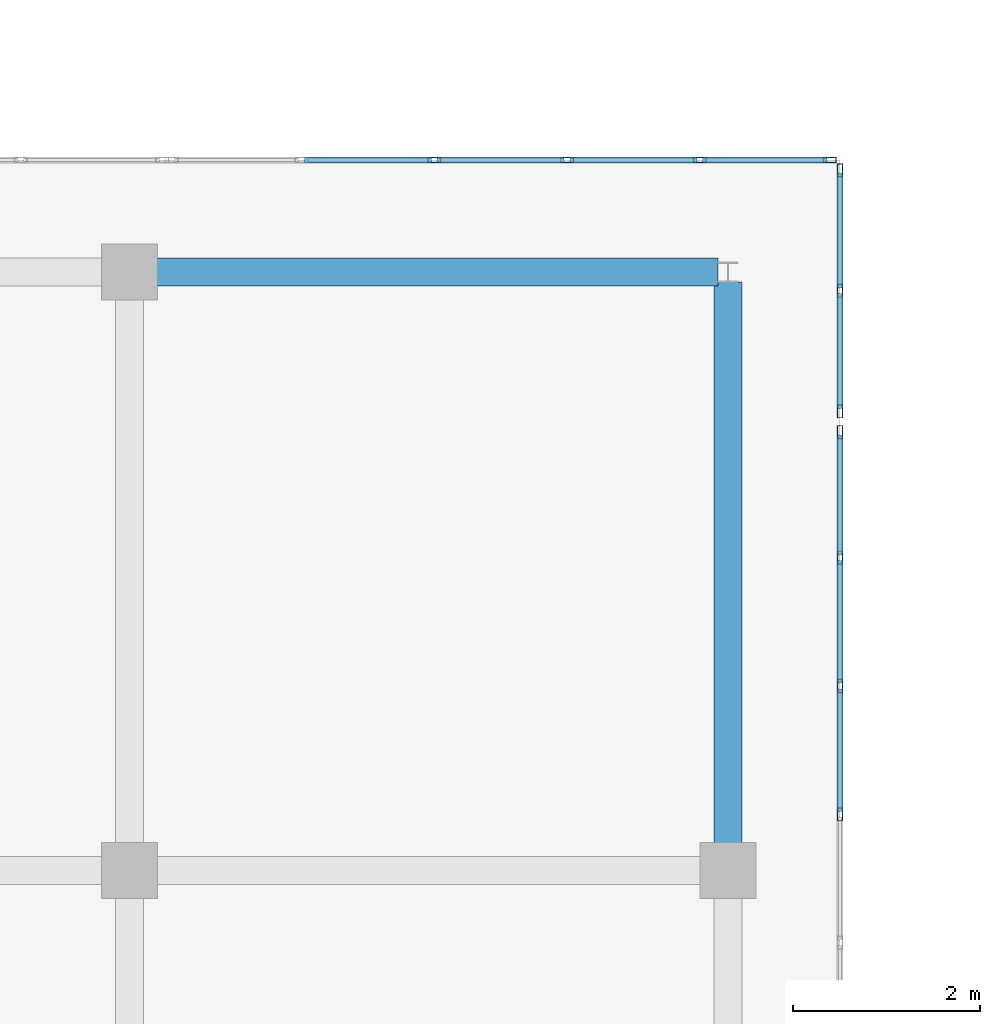
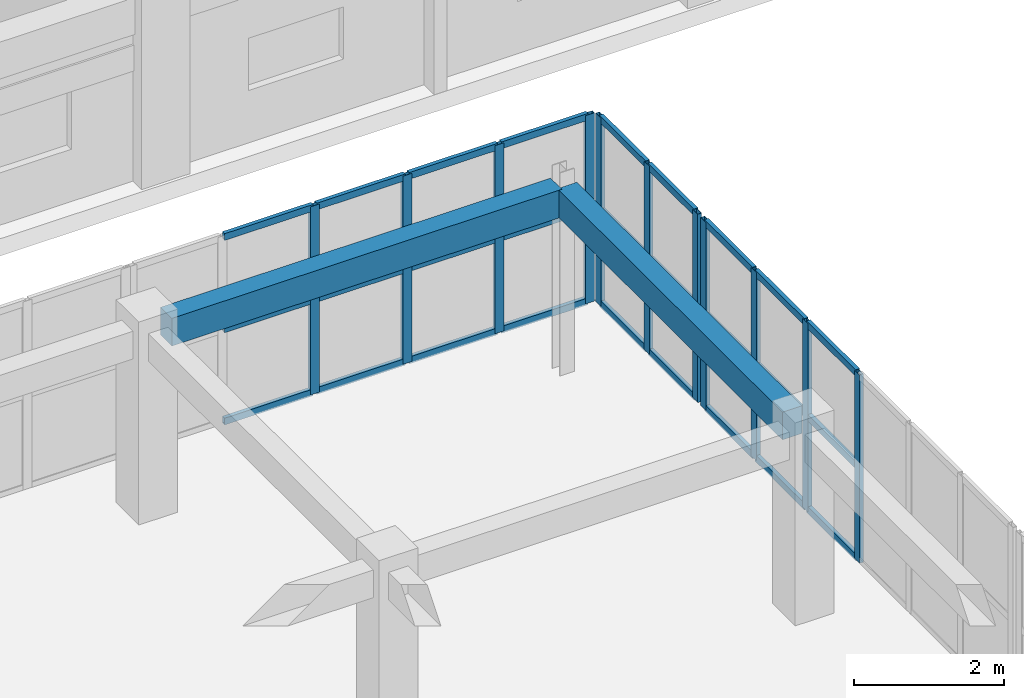
# One storey, part 119 of 200: 38 members, 2 beams, 3 elements without a shape of their own.
"""IFC4 building model written with IfcOpenShell, lengths in metres."""

from ifc_helpers import new_model, si_unit, direction, frame, origin, origin_2d, place, context, subcontext, project, spatial, rectangle, hollow_rectangle, extrude, material, layer, layer_set, material_profile, profile_set, type_object, element, aggregate, save


model = new_model("IFC4")

# Units and contexts
model_context = context("Model", 3, precision=1e-05, world=origin(), true_north=direction((0.0, 1.0)))
body_context = subcontext(model_context, "Body", "Model", "MODEL_VIEW")
ifc_project = project(units=[si_unit("LENGTHUNIT", "METRE"), si_unit("AREAUNIT", "SQUARE_METRE"), si_unit("VOLUMEUNIT", "CUBIC_METRE"), si_unit("PLANEANGLEUNIT", "RADIAN"), si_unit("MASSUNIT", "GRAM", prefix="KILO")], contexts=[model_context])

# Site, building, storey
site_placement = place(None, origin())
site = spatial("IfcSite", under=ifc_project, at=site_placement, CompositionType="ELEMENT")
building_placement = place(site_placement, origin())
building = spatial("IfcBuilding", under=site, at=building_placement, Name="Trelvath General Hospital", CompositionType="ELEMENT")
storey_placement = place(building_placement, frame((0.0, 0.0, 4.800048828125)))
storey = spatial("IfcBuildingStorey", under=building, at=storey_placement, Name="L01", CompositionType="ELEMENT", Elevation=4.800048828125)

# Beams
ifc_material_1 = material(Name="Concrete C35/45", Category="concrete")
ifc_material_profile_1 = material_profile(ifc_material_1, rectangle(XDim=0.300048828125, YDim=0.449951171875, at=origin_2d()), Name="RCB300x450")
ifc_profile_set_1 = profile_set([ifc_material_profile_1], Name="Concrete C35/45")
beam_type = type_object("IfcBeamType", Name="Beam RC300x450", PredefinedType="BEAM", material=ifc_profile_set_1)
beam_1_placement = place(storey_placement, frame((113.89599609375, 85.60009765625, 2.8349609375), z_axis=(1.0, 0.0, 0.0), x_axis=(0.0, 1.0, 0.0)))
element("IfcBeam", 1, at=beam_1_placement, inside=storey, type_object=beam_type, Name="Cube Interior Ring Beam CUBE-E-T0 L01", PredefinedType="BEAM", context=body_context, shape_type="SweptSolid", body=[
    extrude(rectangle(XDim=0.300048828125, YDim=0.449951171875, at=origin_2d()), origin(), (0.0, 0.0, 1.0), 5.998046875),
])
beam_2_placement = place(storey_placement, frame((120.0, 79.49609375, 2.8349609375), z_axis=(0.0, 1.0, 0.0), x_axis=(-1.0, 0.0, 0.0)))
element("IfcBeam", 2, at=beam_2_placement, inside=storey, type_object=beam_type, Name="Cube Interior Ring Beam CUBE-E-T0 L01", PredefinedType="BEAM", context=body_context, shape_type="SweptSolid", body=[
    extrude(rectangle(XDim=0.300048828125, YDim=0.449951171875, at=origin_2d()), origin(), (0.0, 0.0, 1.0), 5.997802734375),
])

# Curtain wall, members
ifc_material_2 = material(Name="Anodised aluminium and low-E glass", Category="aluminium")
ifc_layer_1 = layer(ifc_material_2, 0.14990234375)
ifc_layer_set_1 = layer_set([ifc_layer_1], Name="Anodised aluminium and low-E glass")
curtain_wall_type_1 = type_object("IfcCurtainWallType", Name="CW CrystalCube 710 306 15", PredefinedType="USERDEFINED", material=ifc_layer_set_1)
curtain_wall_1_placement = place(storey_placement, origin())
curtain_wall_1 = element("IfcCurtainWall", 3, at=curtain_wall_1_placement, inside=storey, type_object=curtain_wall_type_1, Name="Crystal Cube Curtain Wall CUBE-E-T0 N5 L01", ObjectType="Unitised Glazed Curtain Wall", PredefinedType="USERDEFINED")
ifc_material_3 = material(Name="Anodised aluminium", Category="aluminium")
ifc_material_profile_2 = material_profile(ifc_material_3, hollow_rectangle(XDim=0.06005859375, YDim=0.139892578125, WallThickness=0.00390625, at=origin_2d()), Name="RHS60x140x4")
ifc_profile_set_2 = profile_set([ifc_material_profile_2], Name="Anodised aluminium")
member_type_1 = type_object("IfcMemberType", Name="CurtainMullion 60x140", PredefinedType="MULLION", material=ifc_profile_set_2)
member_1_placement = place(storey_placement, frame((116.860107421875, 86.800048828125, 0.0), z_axis=(0.0, 0.0, 1.0), x_axis=(0.0, 1.0, 0.0)))
member_1 = element("IfcMember", 4, at=member_1_placement, type_object=member_type_1, Name="CW-159 mullion 3", PredefinedType="MULLION", context=body_context, shape_type="SweptSolid", body=[
    extrude(hollow_rectangle(XDim=0.06005859375, YDim=0.139892578125, WallThickness=0.00390625, at=origin_2d()), origin(), (0.0, 0.0, 1.0), 3.06005859375),
])
member_2_placement = place(storey_placement, frame((118.280029296875, 86.800048828125, 0.0), z_axis=(0.0, 0.0, 1.0), x_axis=(0.0, 1.0, 0.0)))
member_2 = element("IfcMember", 5, at=member_2_placement, type_object=member_type_1, Name="CW-159 mullion 4", PredefinedType="MULLION", context=body_context, shape_type="SweptSolid", body=[
    extrude(hollow_rectangle(XDim=0.06005859375, YDim=0.139892578125, WallThickness=0.00390625, at=origin_2d()), origin(), (0.0, 0.0, 1.0), 3.06005859375),
])
member_3_placement = place(storey_placement, frame((119.699951171875, 86.800048828125, 0.0), z_axis=(0.0, 0.0, 1.0), x_axis=(0.0, 1.0, 0.0)))
member_3 = element("IfcMember", 6, at=member_3_placement, type_object=member_type_1, Name="CW-159 mullion 5", PredefinedType="MULLION", context=body_context, shape_type="SweptSolid", body=[
    extrude(hollow_rectangle(XDim=0.06005859375, YDim=0.139892578125, WallThickness=0.00390625, at=origin_2d()), origin(), (0.0, 0.0, 1.0), 3.06005859375),
])
member_4_placement = place(storey_placement, frame((121.090087890625, 86.800048828125, 0.0), z_axis=(0.0, 0.0, 1.0), x_axis=(0.0, 1.0, 0.0)))
member_4 = element("IfcMember", 7, at=member_4_placement, type_object=member_type_1, Name="CW-159 mullion 6", PredefinedType="MULLION", context=body_context, shape_type="SweptSolid", body=[
    extrude(hollow_rectangle(XDim=0.06005859375, YDim=0.139892578125, WallThickness=0.00390625, at=origin_2d()), origin(), (0.0, 0.0, 1.0), 3.06005859375),
])

ifc_material_4 = material(Name="Anodised aluminium and low-E glass", Category="aluminium")
ifc_layer_2 = layer(ifc_material_4, 0.14990234375)
ifc_layer_set_2 = layer_set([ifc_layer_2], Name="Anodised aluminium and low-E glass")
curtain_wall_type_2 = type_object("IfcCurtainWallType", Name="CW CrystalCube 824 306 15", PredefinedType="USERDEFINED", material=ifc_layer_set_2)
curtain_wall_2_placement = place(storey_placement, origin())
curtain_wall_2 = element("IfcCurtainWall", 8, at=curtain_wall_2_placement, inside=storey, type_object=curtain_wall_type_2, Name="Crystal Cube Curtain Wall CUBE-E-T0 E6 L01", ObjectType="Unitised Glazed Curtain Wall", PredefinedType="USERDEFINED")
member_5_placement = place(storey_placement, frame((121.199951171875, 83.889892578125, 0.0), z_axis=(0.0, 0.0, 1.0), x_axis=(1.0, 0.0, 0.0)))
member_5 = element("IfcMember", 9, at=member_5_placement, type_object=member_type_1, Name="CW-168 mullion 1", PredefinedType="MULLION", context=body_context, shape_type="SweptSolid", body=[
    extrude(hollow_rectangle(XDim=0.06005859375, YDim=0.139892578125, WallThickness=0.00390625, at=origin_2d()), origin(), (0.0, 0.0, 1.0), 3.06005859375),
])
member_6_placement = place(storey_placement, frame((121.199951171875, 82.546630859375, 0.0), z_axis=(0.0, 0.0, 1.0), x_axis=(1.0, 0.0, 0.0)))
member_6 = element("IfcMember", 10, at=member_6_placement, type_object=member_type_1, Name="CW-168 mullion 2", PredefinedType="MULLION", context=body_context, shape_type="SweptSolid", body=[
    extrude(hollow_rectangle(XDim=0.06005859375, YDim=0.139892578125, WallThickness=0.00390625, at=origin_2d()), origin(), (0.0, 0.0, 1.0), 3.06005859375),
])
member_7_placement = place(storey_placement, frame((121.199951171875, 81.17333984375, 0.0), z_axis=(0.0, 0.0, 1.0), x_axis=(1.0, 0.0, 0.0)))
member_7 = element("IfcMember", 11, at=member_7_placement, type_object=member_type_1, Name="CW-168 mullion 3", PredefinedType="MULLION", context=body_context, shape_type="SweptSolid", body=[
    extrude(hollow_rectangle(XDim=0.06005859375, YDim=0.139892578125, WallThickness=0.00390625, at=origin_2d()), origin(), (0.0, 0.0, 1.0), 3.06005859375),
])
member_8_placement = place(storey_placement, frame((121.199951171875, 79.800048828125, 0.0), z_axis=(0.0, 0.0, 1.0), x_axis=(1.0, 0.0, 0.0)))
member_8 = element("IfcMember", 12, at=member_8_placement, type_object=member_type_1, Name="CW-168 mullion 4", PredefinedType="MULLION", context=body_context, shape_type="SweptSolid", body=[
    extrude(hollow_rectangle(XDim=0.06005859375, YDim=0.139892578125, WallThickness=0.00390625, at=origin_2d()), origin(), (0.0, 0.0, 1.0), 3.06005859375),
])

ifc_material_5 = material(Name="Anodised aluminium and low-E glass", Category="aluminium")
ifc_layer_3 = layer(ifc_material_5, 0.14990234375)
ifc_layer_set_3 = layer_set([ifc_layer_3], Name="Anodised aluminium and low-E glass")
curtain_wall_type_3 = type_object("IfcCurtainWallType", Name="CW CrystalCube 264 306 15", PredefinedType="USERDEFINED", material=ifc_layer_set_3)
curtain_wall_3_placement = place(storey_placement, origin())
curtain_wall_3 = element("IfcCurtainWall", 13, at=curtain_wall_3_placement, inside=storey, type_object=curtain_wall_type_3, Name="Crystal Cube Curtain Wall CUBE-E-T0 E7 L01", ObjectType="Unitised Glazed Curtain Wall", PredefinedType="USERDEFINED")
member_9_placement = place(storey_placement, frame((121.199951171875, 86.68994140625, 0.0), z_axis=(0.0, 0.0, 1.0), x_axis=(1.0, 0.0, 0.0)))
member_9 = element("IfcMember", 14, at=member_9_placement, type_object=member_type_1, Name="CW-170 mullion 1", PredefinedType="MULLION", context=body_context, shape_type="SweptSolid", body=[
    extrude(hollow_rectangle(XDim=0.06005859375, YDim=0.139892578125, WallThickness=0.00390625, at=origin_2d()), origin(), (0.0, 0.0, 1.0), 3.06005859375),
])
member_10_placement = place(storey_placement, frame((121.199951171875, 85.39990234375, 0.0), z_axis=(0.0, 0.0, 1.0), x_axis=(1.0, 0.0, 0.0)))
member_10 = element("IfcMember", 15, at=member_10_placement, type_object=member_type_1, Name="CW-170 mullion 2", PredefinedType="MULLION", context=body_context, shape_type="SweptSolid", body=[
    extrude(hollow_rectangle(XDim=0.06005859375, YDim=0.139892578125, WallThickness=0.00390625, at=origin_2d()), origin(), (0.0, 0.0, 1.0), 3.06005859375),
])
member_11_placement = place(storey_placement, frame((121.199951171875, 84.110107421875, 0.0), z_axis=(0.0, 0.0, 1.0), x_axis=(1.0, 0.0, 0.0)))
member_11 = element("IfcMember", 16, at=member_11_placement, type_object=member_type_1, Name="CW-170 mullion 3", PredefinedType="MULLION", context=body_context, shape_type="SweptSolid", body=[
    extrude(hollow_rectangle(XDim=0.06005859375, YDim=0.139892578125, WallThickness=0.00390625, at=origin_2d()), origin(), (0.0, 0.0, 1.0), 3.06005859375),
])

# Member
ifc_material_6 = material(Name="Anodised aluminium", Category="aluminium")
ifc_material_profile_3 = material_profile(ifc_material_6, hollow_rectangle(XDim=0.06005859375, YDim=0.110107421875, WallThickness=0.00390625, at=origin_2d()), Name="RHS60x110x4")
ifc_profile_set_3 = profile_set([ifc_material_profile_3], Name="Anodised aluminium")
member_type_2 = type_object("IfcMemberType", Name="CurtainTransom 60x110", PredefinedType="USERDEFINED", material=ifc_profile_set_3)
member_12_placement = place(storey_placement, frame((115.469970703125, 86.800048828125, 0.030029296875), z_axis=(1.0, 0.0, 0.0), x_axis=(0.0, 1.0, 0.0)))
member_12 = element("IfcMember", 17, at=member_12_placement, type_object=member_type_2, Name="CW-159 transom 2.1", ObjectType="TRANSOM", PredefinedType="USERDEFINED", context=body_context, shape_type="SweptSolid", body=[
    extrude(hollow_rectangle(XDim=0.06005859375, YDim=0.110107421875, WallThickness=0.00390625, at=origin_2d()), origin(), (0.0, 0.0, 1.0), 1.360107421875),
])

member_13_placement = place(storey_placement, frame((115.469970703125, 86.800048828125, 1.530029296875), z_axis=(1.0, 0.0, 0.0), x_axis=(0.0, 1.0, 0.0)))
member_13 = element("IfcMember", 18, at=member_13_placement, type_object=member_type_2, Name="CW-159 transom 2.2", ObjectType="TRANSOM", PredefinedType="USERDEFINED", context=body_context, shape_type="SweptSolid", body=[
    extrude(hollow_rectangle(XDim=0.06005859375, YDim=0.110107421875, WallThickness=0.00390625, at=origin_2d()), origin(), (0.0, 0.0, 1.0), 1.360107421875),
])

member_14_placement = place(storey_placement, frame((115.469970703125, 86.800048828125, 3.030029296875), z_axis=(1.0, 0.0, 0.0), x_axis=(0.0, 1.0, 0.0)))
member_14 = element("IfcMember", 19, at=member_14_placement, type_object=member_type_2, Name="CW-159 transom 2.3", ObjectType="TRANSOM", PredefinedType="USERDEFINED", context=body_context, shape_type="SweptSolid", body=[
    extrude(hollow_rectangle(XDim=0.06005859375, YDim=0.110107421875, WallThickness=0.00390625, at=origin_2d()), origin(), (0.0, 0.0, 1.0), 1.360107421875),
])

member_15_placement = place(storey_placement, frame((116.889892578125, 86.800048828125, 0.030029296875), z_axis=(1.0, 0.0, 0.0), x_axis=(0.0, 1.0, 0.0)))
member_15 = element("IfcMember", 20, at=member_15_placement, type_object=member_type_2, Name="CW-159 transom 3.1", ObjectType="TRANSOM", PredefinedType="USERDEFINED", context=body_context, shape_type="SweptSolid", body=[
    extrude(hollow_rectangle(XDim=0.06005859375, YDim=0.110107421875, WallThickness=0.00390625, at=origin_2d()), origin(), (0.0, 0.0, 1.0), 1.360107421875),
])

member_16_placement = place(storey_placement, frame((116.889892578125, 86.800048828125, 1.530029296875), z_axis=(1.0, 0.0, 0.0), x_axis=(0.0, 1.0, 0.0)))
member_16 = element("IfcMember", 21, at=member_16_placement, type_object=member_type_2, Name="CW-159 transom 3.2", ObjectType="TRANSOM", PredefinedType="USERDEFINED", context=body_context, shape_type="SweptSolid", body=[
    extrude(hollow_rectangle(XDim=0.06005859375, YDim=0.110107421875, WallThickness=0.00390625, at=origin_2d()), origin(), (0.0, 0.0, 1.0), 1.360107421875),
])

member_17_placement = place(storey_placement, frame((116.889892578125, 86.800048828125, 3.030029296875), z_axis=(1.0, 0.0, 0.0), x_axis=(0.0, 1.0, 0.0)))
member_17 = element("IfcMember", 22, at=member_17_placement, type_object=member_type_2, Name="CW-159 transom 3.3", ObjectType="TRANSOM", PredefinedType="USERDEFINED", context=body_context, shape_type="SweptSolid", body=[
    extrude(hollow_rectangle(XDim=0.06005859375, YDim=0.110107421875, WallThickness=0.00390625, at=origin_2d()), origin(), (0.0, 0.0, 1.0), 1.360107421875),
])

member_18_placement = place(storey_placement, frame((118.31005859375, 86.800048828125, 0.030029296875), z_axis=(1.0, 0.0, 0.0), x_axis=(0.0, 1.0, 0.0)))
member_18 = element("IfcMember", 23, at=member_18_placement, type_object=member_type_2, Name="CW-159 transom 4.1", ObjectType="TRANSOM", PredefinedType="USERDEFINED", context=body_context, shape_type="SweptSolid", body=[
    extrude(hollow_rectangle(XDim=0.06005859375, YDim=0.110107421875, WallThickness=0.00390625, at=origin_2d()), origin(), (0.0, 0.0, 1.0), 1.35986328125),
])

member_19_placement = place(storey_placement, frame((118.31005859375, 86.800048828125, 1.530029296875), z_axis=(1.0, 0.0, 0.0), x_axis=(0.0, 1.0, 0.0)))
member_19 = element("IfcMember", 24, at=member_19_placement, type_object=member_type_2, Name="CW-159 transom 4.2", ObjectType="TRANSOM", PredefinedType="USERDEFINED", context=body_context, shape_type="SweptSolid", body=[
    extrude(hollow_rectangle(XDim=0.06005859375, YDim=0.110107421875, WallThickness=0.00390625, at=origin_2d()), origin(), (0.0, 0.0, 1.0), 1.35986328125),
])

member_20_placement = place(storey_placement, frame((118.31005859375, 86.800048828125, 3.030029296875), z_axis=(1.0, 0.0, 0.0), x_axis=(0.0, 1.0, 0.0)))
member_20 = element("IfcMember", 25, at=member_20_placement, type_object=member_type_2, Name="CW-159 transom 4.3", ObjectType="TRANSOM", PredefinedType="USERDEFINED", context=body_context, shape_type="SweptSolid", body=[
    extrude(hollow_rectangle(XDim=0.06005859375, YDim=0.110107421875, WallThickness=0.00390625, at=origin_2d()), origin(), (0.0, 0.0, 1.0), 1.35986328125),
])

member_21_placement = place(storey_placement, frame((119.72998046875, 86.800048828125, 0.030029296875), z_axis=(1.0, 0.0, 0.0), x_axis=(0.0, 1.0, 0.0)))
member_21 = element("IfcMember", 26, at=member_21_placement, type_object=member_type_2, Name="CW-159 transom 5.1", ObjectType="TRANSOM", PredefinedType="USERDEFINED", context=body_context, shape_type="SweptSolid", body=[
    extrude(hollow_rectangle(XDim=0.06005859375, YDim=0.110107421875, WallThickness=0.00390625, at=origin_2d()), origin(), (0.0, 0.0, 1.0), 1.330078125),
])

member_22_placement = place(storey_placement, frame((119.72998046875, 86.800048828125, 1.530029296875), z_axis=(1.0, 0.0, 0.0), x_axis=(0.0, 1.0, 0.0)))
member_22 = element("IfcMember", 27, at=member_22_placement, type_object=member_type_2, Name="CW-159 transom 5.2", ObjectType="TRANSOM", PredefinedType="USERDEFINED", context=body_context, shape_type="SweptSolid", body=[
    extrude(hollow_rectangle(XDim=0.06005859375, YDim=0.110107421875, WallThickness=0.00390625, at=origin_2d()), origin(), (0.0, 0.0, 1.0), 1.330078125),
])

member_23_placement = place(storey_placement, frame((119.72998046875, 86.800048828125, 3.030029296875), z_axis=(1.0, 0.0, 0.0), x_axis=(0.0, 1.0, 0.0)))
member_23 = element("IfcMember", 28, at=member_23_placement, type_object=member_type_2, Name="CW-159 transom 5.3", ObjectType="TRANSOM", PredefinedType="USERDEFINED", context=body_context, shape_type="SweptSolid", body=[
    extrude(hollow_rectangle(XDim=0.06005859375, YDim=0.110107421875, WallThickness=0.00390625, at=origin_2d()), origin(), (0.0, 0.0, 1.0), 1.330078125),
])

aggregate(curtain_wall_1, [member_1, member_2, member_3, member_4, member_12, member_13, member_14, member_15, member_16, member_17, member_18, member_19, member_20, member_21, member_22, member_23])

member_24_placement = place(storey_placement, frame((121.199951171875, 83.860107421875, 0.030029296875), z_axis=(0.0, -1.0, 0.0), x_axis=(1.0, 0.0, 0.0)))
member_24 = element("IfcMember", 29, at=member_24_placement, type_object=member_type_2, Name="CW-168 transom 1.1", ObjectType="TRANSOM", PredefinedType="USERDEFINED", context=body_context, shape_type="SweptSolid", body=[
    extrude(hollow_rectangle(XDim=0.06005859375, YDim=0.110107421875, WallThickness=0.00390625, at=origin_2d()), origin(), (0.0, 0.0, 1.0), 1.283447265625),
])

member_25_placement = place(storey_placement, frame((121.199951171875, 83.860107421875, 1.530029296875), z_axis=(0.0, -1.0, 0.0), x_axis=(1.0, 0.0, 0.0)))
member_25 = element("IfcMember", 30, at=member_25_placement, type_object=member_type_2, Name="CW-168 transom 1.2", ObjectType="TRANSOM", PredefinedType="USERDEFINED", context=body_context, shape_type="SweptSolid", body=[
    extrude(hollow_rectangle(XDim=0.06005859375, YDim=0.110107421875, WallThickness=0.00390625, at=origin_2d()), origin(), (0.0, 0.0, 1.0), 1.283447265625),
])

member_26_placement = place(storey_placement, frame((121.199951171875, 83.860107421875, 3.030029296875), z_axis=(0.0, -1.0, 0.0), x_axis=(1.0, 0.0, 0.0)))
member_26 = element("IfcMember", 31, at=member_26_placement, type_object=member_type_2, Name="CW-168 transom 1.3", ObjectType="TRANSOM", PredefinedType="USERDEFINED", context=body_context, shape_type="SweptSolid", body=[
    extrude(hollow_rectangle(XDim=0.06005859375, YDim=0.110107421875, WallThickness=0.00390625, at=origin_2d()), origin(), (0.0, 0.0, 1.0), 1.283447265625),
])

member_27_placement = place(storey_placement, frame((121.199951171875, 82.5166015625, 0.030029296875), z_axis=(0.0, -1.0, 0.0), x_axis=(1.0, 0.0, 0.0)))
member_27 = element("IfcMember", 32, at=member_27_placement, type_object=member_type_2, Name="CW-168 transom 2.1", ObjectType="TRANSOM", PredefinedType="USERDEFINED", context=body_context, shape_type="SweptSolid", body=[
    extrude(hollow_rectangle(XDim=0.06005859375, YDim=0.110107421875, WallThickness=0.00390625, at=origin_2d()), origin(), (0.0, 0.0, 1.0), 1.313232421875),
])

member_28_placement = place(storey_placement, frame((121.199951171875, 82.5166015625, 1.530029296875), z_axis=(0.0, -1.0, 0.0), x_axis=(1.0, 0.0, 0.0)))
member_28 = element("IfcMember", 33, at=member_28_placement, type_object=member_type_2, Name="CW-168 transom 2.2", ObjectType="TRANSOM", PredefinedType="USERDEFINED", context=body_context, shape_type="SweptSolid", body=[
    extrude(hollow_rectangle(XDim=0.06005859375, YDim=0.110107421875, WallThickness=0.00390625, at=origin_2d()), origin(), (0.0, 0.0, 1.0), 1.313232421875),
])

member_29_placement = place(storey_placement, frame((121.199951171875, 82.5166015625, 3.030029296875), z_axis=(0.0, -1.0, 0.0), x_axis=(1.0, 0.0, 0.0)))
member_29 = element("IfcMember", 34, at=member_29_placement, type_object=member_type_2, Name="CW-168 transom 2.3", ObjectType="TRANSOM", PredefinedType="USERDEFINED", context=body_context, shape_type="SweptSolid", body=[
    extrude(hollow_rectangle(XDim=0.06005859375, YDim=0.110107421875, WallThickness=0.00390625, at=origin_2d()), origin(), (0.0, 0.0, 1.0), 1.313232421875),
])

member_30_placement = place(storey_placement, frame((121.199951171875, 81.143310546875, 0.030029296875), z_axis=(0.0, -1.0, 0.0), x_axis=(1.0, 0.0, 0.0)))
member_30 = element("IfcMember", 35, at=member_30_placement, type_object=member_type_2, Name="CW-168 transom 3.1", ObjectType="TRANSOM", PredefinedType="USERDEFINED", context=body_context, shape_type="SweptSolid", body=[
    extrude(hollow_rectangle(XDim=0.06005859375, YDim=0.110107421875, WallThickness=0.00390625, at=origin_2d()), origin(), (0.0, 0.0, 1.0), 1.313232421875),
])

member_31_placement = place(storey_placement, frame((121.199951171875, 81.143310546875, 1.530029296875), z_axis=(0.0, -1.0, 0.0), x_axis=(1.0, 0.0, 0.0)))
member_31 = element("IfcMember", 36, at=member_31_placement, type_object=member_type_2, Name="CW-168 transom 3.2", ObjectType="TRANSOM", PredefinedType="USERDEFINED", context=body_context, shape_type="SweptSolid", body=[
    extrude(hollow_rectangle(XDim=0.06005859375, YDim=0.110107421875, WallThickness=0.00390625, at=origin_2d()), origin(), (0.0, 0.0, 1.0), 1.313232421875),
])

member_32_placement = place(storey_placement, frame((121.199951171875, 81.143310546875, 3.030029296875), z_axis=(0.0, -1.0, 0.0), x_axis=(1.0, 0.0, 0.0)))
member_32 = element("IfcMember", 37, at=member_32_placement, type_object=member_type_2, Name="CW-168 transom 3.3", ObjectType="TRANSOM", PredefinedType="USERDEFINED", context=body_context, shape_type="SweptSolid", body=[
    extrude(hollow_rectangle(XDim=0.06005859375, YDim=0.110107421875, WallThickness=0.00390625, at=origin_2d()), origin(), (0.0, 0.0, 1.0), 1.313232421875),
])

aggregate(curtain_wall_2, [member_5, member_6, member_7, member_8, member_24, member_25, member_26, member_27, member_28, member_29, member_30, member_31, member_32])

member_33_placement = place(storey_placement, frame((121.199951171875, 86.659912109375, 0.030029296875), z_axis=(0.0, -1.0, 0.0), x_axis=(1.0, 0.0, 0.0)))
member_33 = element("IfcMember", 38, at=member_33_placement, type_object=member_type_2, Name="CW-170 transom 1.1", ObjectType="TRANSOM", PredefinedType="USERDEFINED", context=body_context, shape_type="SweptSolid", body=[
    extrude(hollow_rectangle(XDim=0.06005859375, YDim=0.110107421875, WallThickness=0.00390625, at=origin_2d()), origin(), (0.0, 0.0, 1.0), 1.22998046875),
])

member_34_placement = place(storey_placement, frame((121.199951171875, 86.659912109375, 1.530029296875), z_axis=(0.0, -1.0, 0.0), x_axis=(1.0, 0.0, 0.0)))
member_34 = element("IfcMember", 39, at=member_34_placement, type_object=member_type_2, Name="CW-170 transom 1.2", ObjectType="TRANSOM", PredefinedType="USERDEFINED", context=body_context, shape_type="SweptSolid", body=[
    extrude(hollow_rectangle(XDim=0.06005859375, YDim=0.110107421875, WallThickness=0.00390625, at=origin_2d()), origin(), (0.0, 0.0, 1.0), 1.22998046875),
])

member_35_placement = place(storey_placement, frame((121.199951171875, 86.659912109375, 3.030029296875), z_axis=(0.0, -1.0, 0.0), x_axis=(1.0, 0.0, 0.0)))
member_35 = element("IfcMember", 40, at=member_35_placement, type_object=member_type_2, Name="CW-170 transom 1.3", ObjectType="TRANSOM", PredefinedType="USERDEFINED", context=body_context, shape_type="SweptSolid", body=[
    extrude(hollow_rectangle(XDim=0.06005859375, YDim=0.110107421875, WallThickness=0.00390625, at=origin_2d()), origin(), (0.0, 0.0, 1.0), 1.22998046875),
])

member_36_placement = place(storey_placement, frame((121.199951171875, 85.3701171875, 0.030029296875), z_axis=(0.0, -1.0, 0.0), x_axis=(1.0, 0.0, 0.0)))
member_36 = element("IfcMember", 41, at=member_36_placement, type_object=member_type_2, Name="CW-170 transom 2.1", ObjectType="TRANSOM", PredefinedType="USERDEFINED", context=body_context, shape_type="SweptSolid", body=[
    extrude(hollow_rectangle(XDim=0.06005859375, YDim=0.110107421875, WallThickness=0.00390625, at=origin_2d()), origin(), (0.0, 0.0, 1.0), 1.230224609375),
])

member_37_placement = place(storey_placement, frame((121.199951171875, 85.3701171875, 1.530029296875), z_axis=(0.0, -1.0, 0.0), x_axis=(1.0, 0.0, 0.0)))
member_37 = element("IfcMember", 42, at=member_37_placement, type_object=member_type_2, Name="CW-170 transom 2.2", ObjectType="TRANSOM", PredefinedType="USERDEFINED", context=body_context, shape_type="SweptSolid", body=[
    extrude(hollow_rectangle(XDim=0.06005859375, YDim=0.110107421875, WallThickness=0.00390625, at=origin_2d()), origin(), (0.0, 0.0, 1.0), 1.230224609375),
])

member_38_placement = place(storey_placement, frame((121.199951171875, 85.3701171875, 3.030029296875), z_axis=(0.0, -1.0, 0.0), x_axis=(1.0, 0.0, 0.0)))
member_38 = element("IfcMember", 43, at=member_38_placement, type_object=member_type_2, Name="CW-170 transom 2.3", ObjectType="TRANSOM", PredefinedType="USERDEFINED", context=body_context, shape_type="SweptSolid", body=[
    extrude(hollow_rectangle(XDim=0.06005859375, YDim=0.110107421875, WallThickness=0.00390625, at=origin_2d()), origin(), (0.0, 0.0, 1.0), 1.230224609375),
])

aggregate(curtain_wall_3, [member_9, member_10, member_11, member_33, member_34, member_35, member_36, member_37, member_38])

save(model, "model.ifc")
